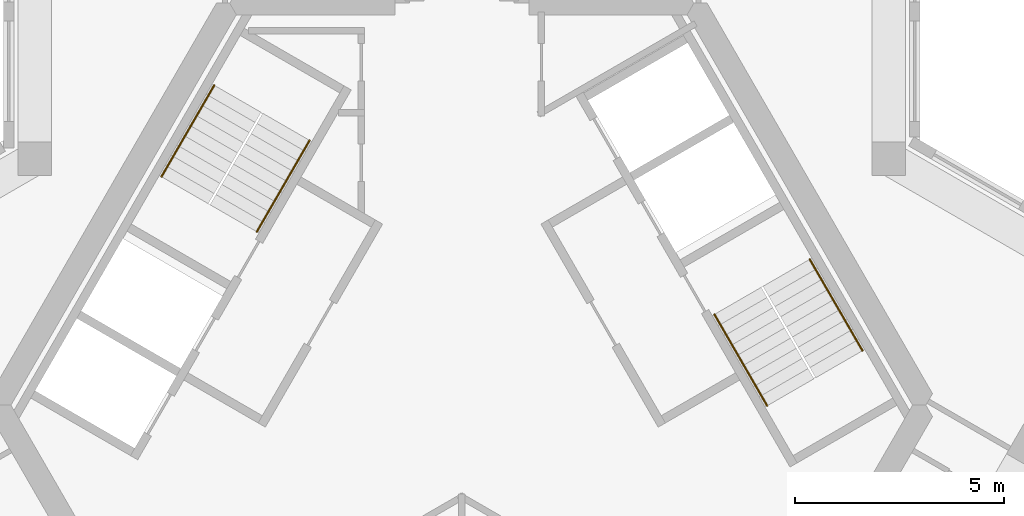
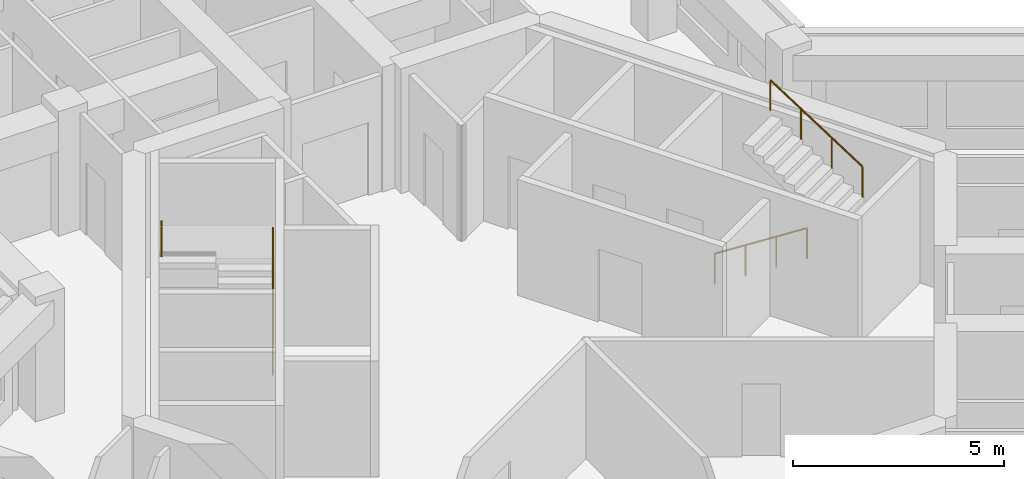
# One storey, part 14 of 14: 4 railings.
"""IFC4 building model written with IfcOpenShell, lengths in metres."""

from ifc_helpers import new_model, si_unit, direction, frame, origin, origin_2d, place, context, subcontext, project, spatial, circle, extrude, material, type_object, element, save


model = new_model("IFC4")

# Units and contexts
model_context = context("Model", 3, precision=1e-05, world=origin(), true_north=direction((0.0, 1.0)))
body_context = subcontext(model_context, "Body", "Model", "MODEL_VIEW")
ifc_project = project(units=[si_unit("LENGTHUNIT", "METRE"), si_unit("AREAUNIT", "SQUARE_METRE"), si_unit("VOLUMEUNIT", "CUBIC_METRE"), si_unit("PLANEANGLEUNIT", "RADIAN"), si_unit("MASSUNIT", "GRAM", prefix="KILO")], contexts=[model_context])

# Site, building, storey
site_placement = place(None, origin())
site = spatial("IfcSite", under=ifc_project, at=site_placement, CompositionType="ELEMENT")
building_placement = place(site_placement, origin())
building = spatial("IfcBuilding", under=site, at=building_placement, Name="Kosmar Iwan School Tower", CompositionType="ELEMENT")
storey_placement = place(building_placement, frame((0.0, 0.0, 271.0)))
storey = spatial("IfcBuildingStorey", under=building, at=storey_placement, Name="L68", CompositionType="ELEMENT", Elevation=271.0)

# Railings
ifc_material = material(Name="Black steel", Category="steel")
railing_type = type_object("IfcRailingType", Name="Stair handrail 900", PredefinedType="HANDRAIL", material=ifc_material)
railing_1_placement = place(storey_placement, frame((-4.89453125, 4.142333984375, 0.179931640625)))
element("IfcRailing", 1, at=railing_1_placement, inside=storey, type_object=railing_type, Name="Handrail ST2 flight 1", PredefinedType="HANDRAIL", context=body_context, shape_type="SweptSolid", body=[
    extrude(circle(Radius=0.02392578125, at=origin_2d()), frame((0.0, 0.0, 0.8759765625), z_axis=(0.420584145978, 0.728463801763, 0.540785970299), x_axis=(-0.866022637375, 0.500004791531, 0.0)), (0.0, 0.0, 1.0), 2.995849609375),
    extrude(circle(Radius=0.02099609375, at=origin_2d()), origin(), (0.0, 0.0, 1.0), 0.851806640625),
    extrude(circle(Radius=0.02099609375, at=origin_2d()), frame((0.419921875, 0.7275390625, 0.5400390625)), (0.0, 0.0, 1.0), 0.851806640625),
    extrude(circle(Radius=0.02099609375, at=origin_2d()), frame((0.840087890625, 1.454833984375, 1.080078125)), (0.0, 0.0, 1.0), 0.851806640625),
    extrude(circle(Radius=0.02099609375, at=origin_2d()), frame((1.260009765625, 2.182373046875, 1.6201171875)), (0.0, 0.0, 1.0), 0.851806640625),
])
railing_2_placement = place(storey_placement, frame((-5.912353515625, 7.6396484375, 1.97998046875)))
element("IfcRailing", 2, at=railing_2_placement, inside=storey, type_object=railing_type, Name="Handrail ST2 flight 2", PredefinedType="HANDRAIL", context=body_context, shape_type="SweptSolid", body=[
    extrude(circle(Radius=0.02392578125, at=origin_2d()), frame((0.0, 0.0, 0.8759765625), z_axis=(-0.420584145978, -0.728463801763, 0.540785970299), x_axis=(0.866022637375, -0.500004791531, 0.0)), (0.0, 0.0, 1.0), 2.995849609375),
    extrude(circle(Radius=0.02099609375, at=origin_2d()), origin(), (0.0, 0.0, 1.0), 0.851806640625),
    extrude(circle(Radius=0.02099609375, at=origin_2d()), frame((-0.419921875, -0.7275390625, 0.5400390625)), (0.0, 0.0, 1.0), 0.851806640625),
    extrude(circle(Radius=0.02099609375, at=origin_2d()), frame((-0.840087890625, -1.454833984375, 1.080078125)), (0.0, 0.0, 1.0), 0.851806640625),
    extrude(circle(Radius=0.02099609375, at=origin_2d()), frame((-1.260009765625, -2.182373046875, 1.6201171875)), (0.0, 0.0, 1.0), 0.851806640625),
])
railing_3_placement = place(storey_placement, frame((6.03466796875, 2.167724609375, 0.179931640625)))
element("IfcRailing", 3, at=railing_3_placement, inside=storey, type_object=railing_type, Name="Handrail ST1 flight 1", PredefinedType="HANDRAIL", context=body_context, shape_type="SweptSolid", body=[
    extrude(circle(Radius=0.02392578125, at=origin_2d()), frame((0.0, 0.0, 0.8759765625), z_axis=(0.420584145978, -0.728463801763, 0.540785970299), x_axis=(0.866022637375, 0.500004791531, 0.0)), (0.0, 0.0, 1.0), 2.995849609375),
    extrude(circle(Radius=0.02099609375, at=origin_2d()), origin(), (0.0, 0.0, 1.0), 0.851806640625),
    extrude(circle(Radius=0.02099609375, at=origin_2d()), frame((0.419921875, -0.7275390625, 0.5400390625)), (0.0, 0.0, 1.0), 0.851806640625),
    extrude(circle(Radius=0.02099609375, at=origin_2d()), frame((0.840087890625, -1.454833984375, 1.080078125)), (0.0, 0.0, 1.0), 0.851806640625),
    extrude(circle(Radius=0.02099609375, at=origin_2d()), frame((1.260009765625, -2.182373046875, 1.6201171875)), (0.0, 0.0, 1.0), 0.851806640625),
])
railing_4_placement = place(storey_placement, frame((9.572265625, 1.30029296875, 1.97998046875)))
element("IfcRailing", 4, at=railing_4_placement, inside=storey, type_object=railing_type, Name="Handrail ST1 flight 2", PredefinedType="HANDRAIL", context=body_context, shape_type="SweptSolid", body=[
    extrude(circle(Radius=0.02392578125, at=origin_2d()), frame((0.0, 0.0, 0.8759765625), z_axis=(-0.420584145978, 0.728463801763, 0.540785970299), x_axis=(-0.866022637375, -0.500004791531, 0.0)), (0.0, 0.0, 1.0), 2.995849609375),
    extrude(circle(Radius=0.02099609375, at=origin_2d()), origin(), (0.0, 0.0, 1.0), 0.851806640625),
    extrude(circle(Radius=0.02099609375, at=origin_2d()), frame((-0.419921875, 0.7275390625, 0.5400390625)), (0.0, 0.0, 1.0), 0.851806640625),
    extrude(circle(Radius=0.02099609375, at=origin_2d()), frame((-0.840087890625, 1.454833984375, 1.080078125)), (0.0, 0.0, 1.0), 0.851806640625),
    extrude(circle(Radius=0.02099609375, at=origin_2d()), frame((-1.260009765625, 2.182373046875, 1.6201171875)), (0.0, 0.0, 1.0), 0.851806640625),
])

save(model, "model.ifc")
